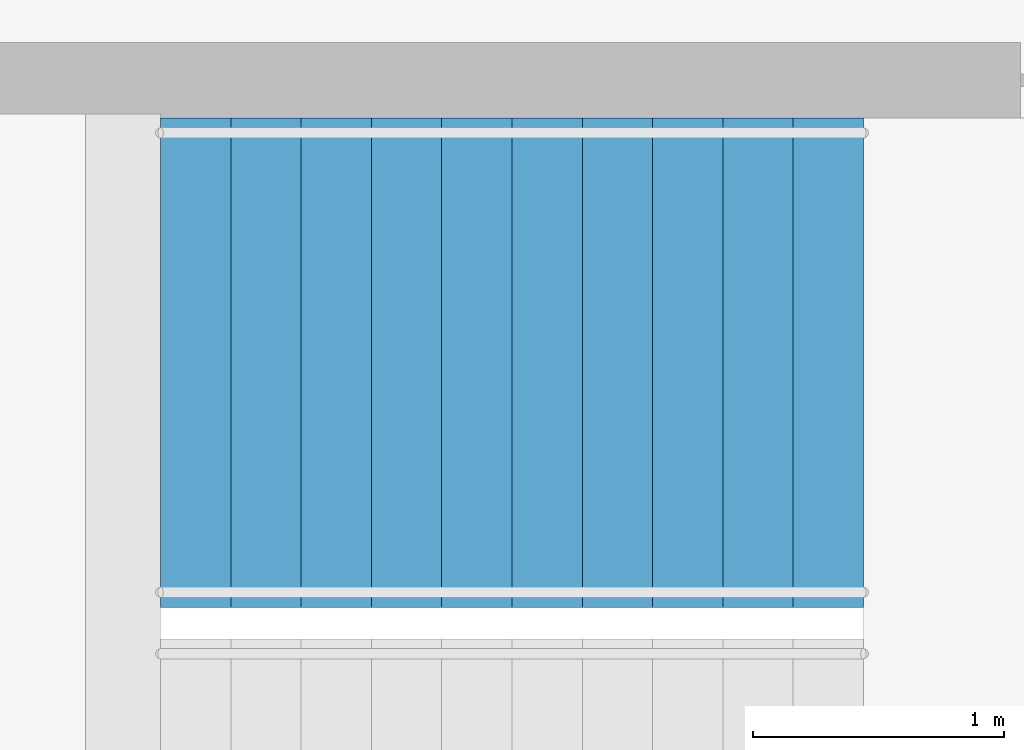
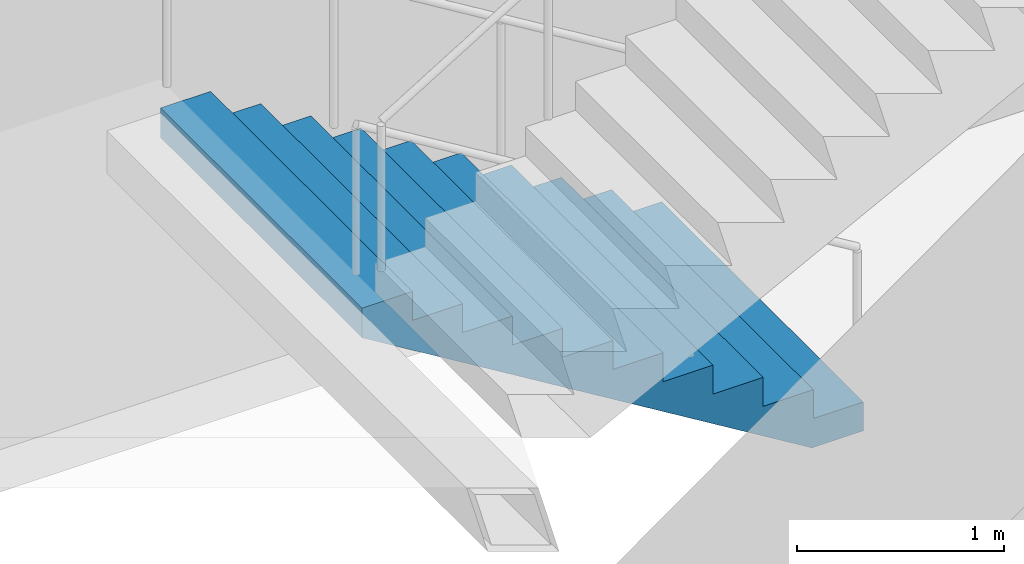
# One storey, part 21 of 22: 1 stair flight, 1 element without a shape of its own.
"""IFC4 building model written with IfcOpenShell, lengths in metres."""

import ifcopenshell
import ifcopenshell.guid

model = None  # the IFC model being written
_history = None  # IfcOwnerHistory: only IFC2X3 demands one
_inside = {}  # id of a spatial element -> (the spatial element, [elements in it])
_under = {}  # id of a project, library or spatial element -> (it, [spatial elements below it])
_declared = {}  # id of a project -> (the project, [libraries it declares])
_typed = {}  # id of a type object -> (the type object, [elements of that type])
_made_of = {}  # id of a material, layer set ... -> (it, [elements and type objects made of it])


def new_model(schema):
    """Start an empty IFC model of exactly this schema.

    Asked for "IFC4X3", IfcOpenShell would pick the latest addendum, in which some entities
    have other attributes; the version numbers below select the first issue.
    IFC2X3 requires an IfcOwnerHistory on every rooted entity: one is made here for all.
    """
    global model, _history
    if schema == "IFC4X3":
        model = ifcopenshell.file(schema_version=(4, 3, 0, 0))
    else:
        model = ifcopenshell.file(schema=schema)
    _inside.clear()
    _under.clear()
    _declared.clear()
    _typed.clear()
    _made_of.clear()
    _history = None
    if model.schema == "IFC2X3":
        org = make("IfcOrganization", Name="unknown")
        user = make(
            "IfcPersonAndOrganization",
            ThePerson=make("IfcPerson", FamilyName="unknown"),
            TheOrganization=org,
        )
        app = make(
            "IfcApplication",
            ApplicationDeveloper=org,
            Version="unknown",
            ApplicationFullName="unknown",
            ApplicationIdentifier="unknown",
        )
        _history = make(
            "IfcOwnerHistory",
            OwningUser=user,
            OwningApplication=app,
            ChangeAction="ADDED",
            CreationDate=0,
        )
    return model


def make(cls, **values):
    """One entity of the class cls with the attributes given. An attribute that is None is left unset."""
    return model.create_entity(
        cls, **{name: value for name, value in values.items() if value is not None}
    )


def rooted(cls, **values):
    """An entity with a GlobalId (a new one), such as an element, a storey or a relation."""
    return make(cls, GlobalId=ifcopenshell.guid.new(), OwnerHistory=_history, **values)


def si_unit(unit_type, name, prefix=None):
    """IfcSIUnit, for example si_unit("LENGTHUNIT", "METRE", prefix="MILLI")."""
    return make("IfcSIUnit", UnitType=unit_type, Prefix=prefix, Name=name)


def assignment(units):
    """IfcUnitAssignment: the units of a project."""
    return None if units is None else make("IfcUnitAssignment", Units=units)


def point(xyz):
    """IfcCartesianPoint."""
    return None if xyz is None else make("IfcCartesianPoint", Coordinates=xyz)


def direction(xyz):
    """IfcDirection."""
    return None if xyz is None else make("IfcDirection", DirectionRatios=xyz)


def frame(location, z_axis=None, x_axis=None):
    """IfcAxis2Placement3D, a coordinate frame: its origin and axes. An axis left out is left unset."""
    return make(
        "IfcAxis2Placement3D",
        Location=point(location),
        Axis=direction(z_axis),
        RefDirection=direction(x_axis),
    )


def origin():
    """The frame at (0, 0, 0) with its axes left unset."""
    return frame((0.0, 0.0, 0.0))


def place(relative_to, where):
    """IfcLocalPlacement: puts the frame where relative to a parent placement (None: the world)."""
    return make(
        "IfcLocalPlacement", PlacementRelTo=relative_to, RelativePlacement=where
    )


def context(
    kind, dimensions, precision=None, world=None, true_north=None, identifier=None
):
    """IfcGeometricRepresentationContext, for example the 3D "Model" context."""
    return make(
        "IfcGeometricRepresentationContext",
        ContextIdentifier=identifier,
        ContextType=kind,
        CoordinateSpaceDimension=dimensions,
        Precision=precision,
        WorldCoordinateSystem=world,
        TrueNorth=true_north,
    )


def subcontext(parent, identifier, kind, view, scale=None):
    """IfcGeometricRepresentationSubContext, for example "Body" below "Model"."""
    return make(
        "IfcGeometricRepresentationSubContext",
        ContextIdentifier=identifier,
        ContextType=kind,
        ParentContext=parent,
        TargetScale=scale,
        TargetView=view,
    )


def project(units=None, contexts=None):
    """IfcProject with its units and contexts."""
    return rooted(
        "IfcProject",
        Name="project",
        RepresentationContexts=contexts,
        UnitsInContext=assignment(units),
    )


def spatial(cls, under=None, at=None, **own):
    """A site, building, storey or space (cls), placed at a placement, below another one or the project."""
    s = rooted(cls, ObjectPlacement=at, **own)
    if under is not None:
        _under.setdefault(under.id(), (under, []))[1].append(s)
    return s


def point_list(points):
    """IfcCartesianPointList2D or 3D."""
    cls = (
        "IfcCartesianPointList2D" if len(points[0]) == 2 else "IfcCartesianPointList3D"
    )
    return make(cls, CoordList=points)


def triangles(points, corners, closed=None, point_numbers=None):
    """IfcTriangulatedFaceSet: each triangle names its three corners, points numbered from 1."""
    return make(
        "IfcTriangulatedFaceSet",
        Coordinates=point_list(points),
        Closed=closed,
        CoordIndex=corners,
        PnIndex=point_numbers,
    )


def shape(context_of_items, identifier, shape_type, items):
    """IfcShapeRepresentation: the items that make up one representation, for example the "Body"."""
    return make(
        "IfcShapeRepresentation",
        ContextOfItems=context_of_items,
        RepresentationIdentifier=identifier,
        RepresentationType=shape_type,
        Items=items,
    )


def material(Name=None, Category=None):
    """IfcMaterial."""
    return make("IfcMaterial", Name=Name, Category=Category)


def made_of(thing, what):
    """Note that an element or type object is made of a material, layer set ...; save() writes the relation."""
    if what is not None:
        _made_of.setdefault(what.id(), (what, []))[1].append(thing)
    return thing


def type_object(cls, material=None, **own):
    """A type object (cls), such as IfcWallType, which elements share."""
    return made_of(rooted(cls, **own), material)


def element(
    cls,
    number,
    at=None,
    inside=None,
    cuts=None,
    type_object=None,
    material=None,
    context=None,
    identifier="Body",
    shape_type=None,
    held_by="IfcProductDefinitionShape",
    body=None,
    shapes=None,
    **own,
):
    """One element of the class cls, such as IfcWall. Its Tag is "e" and its number.

    at: its placement. inside: the storey or other place that contains it. cuts: it is an
    opening in that element (IfcRelVoidsElement). A single representation is given by context,
    identifier, shape_type and body (its items); several are given by shapes. held_by: the class
    of the entity that holds the representations. save() writes the other relations.
    """
    e = rooted(cls, Tag="e%d" % number, ObjectPlacement=at, **own)
    if body is not None:
        shapes = [shape(context, identifier, shape_type, body)]
    if shapes is not None:
        e.Representation = make(held_by, Representations=shapes)
    if inside is not None:
        _inside.setdefault(inside.id(), (inside, []))[1].append(e)
    if cuts is not None:
        rooted(
            "IfcRelVoidsElement", RelatingBuildingElement=cuts, RelatedOpeningElement=e
        )
    if type_object is not None:
        _typed.setdefault(type_object.id(), (type_object, []))[1].append(e)
    return made_of(e, material)


def aggregate(whole, parts):
    """IfcRelAggregates: a whole, such as a stair, and the parts it consists of."""
    return rooted("IfcRelAggregates", RelatingObject=whole, RelatedObjects=parts)


def save(model, path):
    """Write the relations noted so far, then the file.

    IfcRelAggregates (storeys below a building ...), IfcRelContainedInSpatialStructure (elements
    in a storey), IfcRelDefinesByType, IfcRelAssociatesMaterial and IfcRelDeclares: one each for
    every whole, place, type object, material and project.
    """
    for whole, parts in _under.values():
        aggregate(whole, parts)
    for where, things in _inside.values():
        rooted(
            "IfcRelContainedInSpatialStructure",
            RelatedElements=things,
            RelatingStructure=where,
        )
    for kind, things in _typed.values():
        rooted("IfcRelDefinesByType", RelatedObjects=things, RelatingType=kind)
    for what, things in _made_of.values():
        rooted("IfcRelAssociatesMaterial", RelatedObjects=things, RelatingMaterial=what)
    for by, libraries in _declared.values():
        rooted("IfcRelDeclares", RelatingContext=by, RelatedDefinitions=libraries)
    model.write(path)


model = new_model("IFC4")

# Units and contexts
model_context = context("Model", 3, precision=1e-05, world=origin(), true_north=direction((0.0, 1.0)))
body_context = subcontext(model_context, "Body", "Model", "MODEL_VIEW")
ifc_project = project(units=[si_unit("LENGTHUNIT", "METRE"), si_unit("AREAUNIT", "SQUARE_METRE"), si_unit("VOLUMEUNIT", "CUBIC_METRE"), si_unit("PLANEANGLEUNIT", "RADIAN"), si_unit("MASSUNIT", "GRAM", prefix="KILO")], contexts=[model_context])

# Site, building, storey
site_placement = place(None, origin())
site = spatial("IfcSite", under=ifc_project, at=site_placement, CompositionType="ELEMENT")
building_placement = place(site_placement, origin())
building = spatial("IfcBuilding", under=site, at=building_placement, Name="Orbita Commons", CompositionType="ELEMENT")
storey_placement = place(building_placement, frame((0.0, 0.0, 144.85009765625)))
storey = spatial("IfcBuildingStorey", under=building, at=storey_placement, Name="L35", CompositionType="ELEMENT", Elevation=144.85009765625)

# Stair, stair flight
ifc_material_1 = material(Name="Precast concrete C40/50", Category="concrete")
stair_type = type_object("IfcStairType", Name="Exit stair S2 2 flights 11 risers 170", PredefinedType="HALF_TURN_STAIR", material=ifc_material_1)
stair_placement = place(storey_placement, origin())
stair = element("IfcStair", 1, at=stair_placement, inside=storey, type_object=stair_type, Name="Exit stair S2 L35", PredefinedType="HALF_TURN_STAIR")
ifc_material_2 = material(Name="Precast concrete C40/50", Category="concrete")
stair_flight_type = type_object("IfcStairFlightType", Name="Stair flight 11 risers 170 x 280", PredefinedType="STRAIGHT", material=ifc_material_2)
stair_flight_placement = place(storey_placement, frame((63.550048828125, 29.27490234375, 0.0), z_axis=(0.0, 0.0, 1.0), x_axis=(-1.0, 0.0, 0.0)))
stair_flight = element("IfcStairFlight", 2, at=stair_flight_placement, type_object=stair_flight_type, Name="S2 flight 1", NumberOfRisers=11, NumberOfTreads=10, PredefinedType="STRAIGHT", RiserHeight=0.170454545, TreadLength=0.28, context=body_context, shape_type="Tessellation", body=[
    triangles([(0.0, 0.974976, 0.0), (0.0, 0.974976, 0.021307), (0.0, 0.81248, 0.021307), (0.0, 0.81248, 0.0), (0.0, 0.649984, 0.021307), (0.0, 0.649984, 0.0), (0.0, 0.487488, 0.021307), (0.0, 0.487488, 0.0), (0.0, 0.324992, 0.021307), (0.0, 0.324992, 0.0), (0.0, 0.162496, 0.021307), (0.0, 0.162496, 0.0), (0.0, 0.0, 0.021307), (0.0, 0.0, 0.0), (0.0, -0.162496, 0.021307), (0.0, -0.162496, 0.0), (0.0, -0.324992, 0.021307), (0.0, -0.324992, 0.0), (0.0, -0.487488, 0.021307), (0.0, -0.487488, 0.0), (0.0, -0.649984, 0.021307), (0.0, -0.649984, 0.0), (0.0, -0.81248, 0.021307), (0.0, -0.81248, 0.0), (0.0, -0.974976, 0.021307), (0.0, -0.974976, 0.0), (0.0, 0.974976, 0.042614), (0.0, 0.81248, 0.042614), (0.0, 0.649984, 0.042614), (0.0, 0.487488, 0.042614), (0.0, 0.324992, 0.042614), (0.0, 0.162496, 0.042614), (0.0, 0.0, 0.042614), (0.0, -0.162496, 0.042614), (0.0, -0.324992, 0.042614), (0.0, -0.487488, 0.042614), (0.0, -0.649984, 0.042614), (0.0, -0.81248, 0.042614), (0.0, -0.974976, 0.042614), (0.0, 0.974976, 0.06392), (0.0, 0.81248, 0.06392), (0.0, 0.649984, 0.06392), (0.0, 0.487488, 0.06392), (0.0, 0.324992, 0.06392), (0.0, 0.162496, 0.06392), (0.0, 0.0, 0.06392), (0.0, -0.162496, 0.06392), (0.0, -0.324992, 0.06392), (0.0, -0.487488, 0.06392), (0.0, -0.649984, 0.06392), (0.0, -0.81248, 0.06392), (0.0, -0.974976, 0.06392), (0.0, 0.974976, 0.085227), (0.0, 0.81248, 0.085227), (0.0, 0.649984, 0.085227), (0.0, 0.487488, 0.085227), (0.0, 0.324992, 0.085227), (0.0, 0.162496, 0.085227), (0.0, 0.0, 0.085227), (0.0, -0.162496, 0.085227), (0.0, -0.324992, 0.085227), (0.0, -0.487488, 0.085227), (0.0, -0.649984, 0.085227), (0.0, -0.81248, 0.085227), (0.0, -0.974976, 0.085227), (0.0, 0.974976, 0.106534), (0.0, 0.81248, 0.106534), (0.0, 0.649984, 0.106534), (0.0, 0.487488, 0.106534), (0.0, 0.324992, 0.106534), (0.0, 0.162496, 0.106534), (0.0, 0.0, 0.106534), (0.0, -0.162496, 0.106534), (0.0, -0.324992, 0.106534), (0.0, -0.487488, 0.106534), (0.0, -0.649984, 0.106534), (0.0, -0.81248, 0.106534), (0.0, -0.974976, 0.106534), (0.0, 0.974976, 0.127841), (0.0, 0.81248, 0.127841), (0.0, 0.649984, 0.127841), (0.0, 0.487488, 0.127841), (0.0, 0.324992, 0.127841), (0.0, 0.162496, 0.127841), (0.0, 0.0, 0.127841), (0.0, -0.162496, 0.127841), (0.0, -0.324992, 0.127841), (0.0, -0.487488, 0.127841), (0.0, -0.649984, 0.127841), (0.0, -0.81248, 0.127841), (0.0, -0.974976, 0.127841), (0.0, 0.974976, 0.149148), (0.0, 0.81248, 0.149148), (0.0, 0.649984, 0.149148), (0.0, 0.487488, 0.149148), (0.0, 0.324992, 0.149148), (0.0, 0.162496, 0.149148), (0.0, 0.0, 0.149148), (0.0, -0.162496, 0.149148), (0.0, -0.324992, 0.149148), (0.0, -0.487488, 0.149148), (0.0, -0.649984, 0.149148), (0.0, -0.81248, 0.149148), (0.0, -0.974976, 0.149148), (0.0, 0.974976, 0.170455), (0.0, 0.81248, 0.170455), (0.0, 0.649984, 0.170455), (0.0, 0.487488, 0.170455), (0.0, 0.324992, 0.170455), (0.0, 0.162496, 0.170455), (0.0, 0.0, 0.170455), (0.0, -0.162496, 0.170455), (0.0, -0.324992, 0.170455), (0.0, -0.487488, 0.170455), (0.0, -0.649984, 0.170455), (0.0, -0.81248, 0.170455), (0.0, -0.974976, 0.170455), (0.28, 0.974976, 0.170455), (0.28, 0.81248, 0.170455), (0.28, 0.649984, 0.170455), (0.28, 0.487488, 0.170455), (0.28, 0.324992, 0.170455), (0.28, 0.162496, 0.170455), (0.28, 0.0, 0.170455), (0.28, -0.162496, 0.170455), (0.28, -0.324992, 0.170455), (0.28, -0.487488, 0.170455), (0.28, -0.649984, 0.170455), (0.28, -0.81248, 0.170455), (0.28, -0.974976, 0.170455), (0.28, 0.974976, 0.340909), (0.28, 0.81248, 0.340909), (0.28, 0.649984, 0.340909), (0.28, 0.487488, 0.340909), (0.28, 0.324992, 0.340909), (0.28, 0.162496, 0.340909), (0.28, 0.0, 0.340909), (0.28, -0.162496, 0.340909), (0.28, -0.324992, 0.340909), (0.28, -0.487488, 0.340909), (0.28, -0.649984, 0.340909), (0.28, -0.81248, 0.340909), (0.28, -0.974976, 0.340909), (0.56, 0.974976, 0.340909), (0.56, 0.81248, 0.340909), (0.56, 0.649984, 0.340909), (0.56, 0.487488, 0.340909), (0.56, 0.324992, 0.340909), (0.56, 0.162496, 0.340909), (0.56, 0.0, 0.340909), (0.56, -0.162496, 0.340909), (0.56, -0.324992, 0.340909), (0.56, -0.487488, 0.340909), (0.56, -0.649984, 0.340909), (0.56, -0.81248, 0.340909), (0.56, -0.974976, 0.340909), (0.56, 0.974976, 0.511364), (0.56, 0.81248, 0.511364), (0.56, 0.649984, 0.511364), (0.56, 0.487488, 0.511364), (0.56, 0.324992, 0.511364), (0.56, 0.162496, 0.511364), (0.56, 0.0, 0.511364), (0.56, -0.162496, 0.511364), (0.56, -0.324992, 0.511364), (0.56, -0.487488, 0.511364), (0.56, -0.649984, 0.511364), (0.56, -0.81248, 0.511364), (0.56, -0.974976, 0.511364), (0.84, 0.974976, 0.511364), (0.84, 0.81248, 0.511364), (0.84, 0.649984, 0.511364), (0.84, 0.487488, 0.511364), (0.84, 0.324992, 0.511364), (0.84, 0.162496, 0.511364), (0.84, 0.0, 0.511364), (0.84, -0.162496, 0.511364), (0.84, -0.324992, 0.511364), (0.84, -0.487488, 0.511364), (0.84, -0.649984, 0.511364), (0.84, -0.81248, 0.511364), (0.84, -0.974976, 0.511364), (0.84, 0.974976, 0.681818), (0.84, 0.81248, 0.681818), (0.84, 0.649984, 0.681818), (0.84, 0.487488, 0.681818), (0.84, 0.324992, 0.681818), (0.84, 0.162496, 0.681818), (0.84, 0.0, 0.681818), (0.84, -0.162496, 0.681818), (0.84, -0.324992, 0.681818), (0.84, -0.487488, 0.681818), (0.84, -0.649984, 0.681818), (0.84, -0.81248, 0.681818), (0.84, -0.974976, 0.681818), (1.12, 0.974976, 0.681818), (1.12, 0.81248, 0.681818), (1.12, 0.649984, 0.681818), (1.12, 0.487488, 0.681818), (1.12, 0.324992, 0.681818), (1.12, 0.162496, 0.681818), (1.12, 0.0, 0.681818), (1.12, -0.162496, 0.681818), (1.12, -0.324992, 0.681818), (1.12, -0.487488, 0.681818), (1.12, -0.649984, 0.681818), (1.12, -0.81248, 0.681818), (1.12, -0.974976, 0.681818), (1.12, 0.974976, 0.852273), (1.12, 0.81248, 0.852273), (1.12, 0.649984, 0.852273), (1.12, 0.487488, 0.852273), (1.12, 0.324992, 0.852273), (1.12, 0.162496, 0.852273), (1.12, 0.0, 0.852273), (1.12, -0.162496, 0.852273), (1.12, -0.324992, 0.852273), (1.12, -0.487488, 0.852273), (1.12, -0.649984, 0.852273), (1.12, -0.81248, 0.852273), (1.12, -0.974976, 0.852273), (1.4, 0.974976, 0.852273), (1.4, 0.81248, 0.852273), (1.4, 0.649984, 0.852273), (1.4, 0.487488, 0.852273), (1.4, 0.324992, 0.852273), (1.4, 0.162496, 0.852273), (1.4, 0.0, 0.852273), (1.4, -0.162496, 0.852273), (1.4, -0.324992, 0.852273), (1.4, -0.487488, 0.852273), (1.4, -0.649984, 0.852273), (1.4, -0.81248, 0.852273), (1.4, -0.974976, 0.852273), (1.4, 0.974976, 1.022727), (1.4, 0.81248, 1.022727), (1.4, 0.649984, 1.022727), (1.4, 0.487488, 1.022727), (1.4, 0.324992, 1.022727), (1.4, 0.162496, 1.022727), (1.4, 0.0, 1.022727), (1.4, -0.162496, 1.022727), (1.4, -0.324992, 1.022727), (1.4, -0.487488, 1.022727), (1.4, -0.649984, 1.022727), (1.4, -0.81248, 1.022727), (1.4, -0.974976, 1.022727), (1.68, 0.974976, 1.022727), (1.68, 0.81248, 1.022727), (1.68, 0.649984, 1.022727), (1.68, 0.487488, 1.022727), (1.68, 0.324992, 1.022727), (1.68, 0.162496, 1.022727), (1.68, 0.0, 1.022727), (1.68, -0.162496, 1.022727), (1.68, -0.324992, 1.022727), (1.68, -0.487488, 1.022727), (1.68, -0.649984, 1.022727), (1.68, -0.81248, 1.022727), (1.68, -0.974976, 1.022727), (1.68, 0.974976, 1.193182), (1.68, 0.81248, 1.193182), (1.68, 0.649984, 1.193182), (1.68, 0.487488, 1.193182), (1.68, 0.324992, 1.193182), (1.68, 0.162496, 1.193182), (1.68, 0.0, 1.193182), (1.68, -0.162496, 1.193182), (1.68, -0.324992, 1.193182), (1.68, -0.487488, 1.193182), (1.68, -0.649984, 1.193182), (1.68, -0.81248, 1.193182), (1.68, -0.974976, 1.193182), (1.96, 0.974976, 1.193182), (1.96, 0.81248, 1.193182), (1.96, 0.649984, 1.193182), (1.96, 0.487488, 1.193182), (1.96, 0.324992, 1.193182), (1.96, 0.162496, 1.193182), (1.96, 0.0, 1.193182), (1.96, -0.162496, 1.193182), (1.96, -0.324992, 1.193182), (1.96, -0.487488, 1.193182), (1.96, -0.649984, 1.193182), (1.96, -0.81248, 1.193182), (1.96, -0.974976, 1.193182), (1.96, 0.974976, 1.363636), (1.96, 0.81248, 1.363636), (1.96, 0.649984, 1.363636), (1.96, 0.487488, 1.363636), (1.96, 0.324992, 1.363636), (1.96, 0.162496, 1.363636), (1.96, 0.0, 1.363636), (1.96, -0.162496, 1.363636), (1.96, -0.324992, 1.363636), (1.96, -0.487488, 1.363636), (1.96, -0.649984, 1.363636), (1.96, -0.81248, 1.363636), (1.96, -0.974976, 1.363636), (2.24, 0.974976, 1.363636), (2.24, 0.81248, 1.363636), (2.24, 0.649984, 1.363636), (2.24, 0.487488, 1.363636), (2.24, 0.324992, 1.363636), (2.24, 0.162496, 1.363636), (2.24, 0.0, 1.363636), (2.24, -0.162496, 1.363636), (2.24, -0.324992, 1.363636), (2.24, -0.487488, 1.363636), (2.24, -0.649984, 1.363636), (2.24, -0.81248, 1.363636), (2.24, -0.974976, 1.363636), (2.24, 0.974976, 1.534091), (2.24, 0.81248, 1.534091), (2.24, 0.649984, 1.534091), (2.24, 0.487488, 1.534091), (2.24, 0.324992, 1.534091), (2.24, 0.162496, 1.534091), (2.24, 0.0, 1.534091), (2.24, -0.162496, 1.534091), (2.24, -0.324992, 1.534091), (2.24, -0.487488, 1.534091), (2.24, -0.649984, 1.534091), (2.24, -0.81248, 1.534091), (2.24, -0.974976, 1.534091), (2.52, 0.974976, 1.534091), (2.52, 0.81248, 1.534091), (2.52, 0.649984, 1.534091), (2.52, 0.487488, 1.534091), (2.52, 0.324992, 1.534091), (2.52, 0.162496, 1.534091), (2.52, 0.0, 1.534091), (2.52, -0.162496, 1.534091), (2.52, -0.324992, 1.534091), (2.52, -0.487488, 1.534091), (2.52, -0.649984, 1.534091), (2.52, -0.81248, 1.534091), (2.52, -0.974976, 1.534091), (2.52, 0.974976, 1.704545), (2.52, 0.81248, 1.704545), (2.52, 0.649984, 1.704545), (2.52, 0.487488, 1.704545), (2.52, 0.324992, 1.704545), (2.52, 0.162496, 1.704545), (2.52, 0.0, 1.704545), (2.52, -0.162496, 1.704545), (2.52, -0.324992, 1.704545), (2.52, -0.487488, 1.704545), (2.52, -0.649984, 1.704545), (2.52, -0.81248, 1.704545), (2.52, -0.974976, 1.704545), (2.8, 0.974976, 1.704545), (2.8, 0.81248, 1.704545), (2.8, 0.649984, 1.704545), (2.8, 0.487488, 1.704545), (2.8, 0.324992, 1.704545), (2.8, 0.162496, 1.704545), (2.8, 0.0, 1.704545), (2.8, -0.162496, 1.704545), (2.8, -0.324992, 1.704545), (2.8, -0.487488, 1.704545), (2.8, -0.649984, 1.704545), (2.8, -0.81248, 1.704545), (2.8, -0.974976, 1.704545), (2.8, 0.974976, 1.682609), (2.8, 0.81248, 1.682609), (2.8, 0.649984, 1.682609), (2.8, 0.487488, 1.682609), (2.8, 0.324992, 1.682609), (2.8, 0.162496, 1.682609), (2.8, 0.0, 1.682609), (2.8, -0.162496, 1.682609), (2.8, -0.324992, 1.682609), (2.8, -0.487488, 1.682609), (2.8, -0.649984, 1.682609), (2.8, -0.81248, 1.682609), (2.8, -0.974976, 1.682609), (2.8, 0.974976, 1.660672), (2.8, 0.81248, 1.660672), (2.8, 0.649984, 1.660672), (2.8, 0.487488, 1.660672), (2.8, 0.324992, 1.660672), (2.8, 0.162496, 1.660672), (2.8, 0.0, 1.660672), (2.8, -0.162496, 1.660672), (2.8, -0.324992, 1.660672), (2.8, -0.487488, 1.660672), (2.8, -0.649984, 1.660672), (2.8, -0.81248, 1.660672), (2.8, -0.974976, 1.660672), (2.8, 0.974976, 1.638735), (2.8, 0.81248, 1.638735), (2.8, 0.649984, 1.638735), (2.8, 0.487488, 1.638735), (2.8, 0.324992, 1.638735), (2.8, 0.162496, 1.638735), (2.8, 0.0, 1.638735), (2.8, -0.162496, 1.638735), (2.8, -0.324992, 1.638735), (2.8, -0.487488, 1.638735), (2.8, -0.649984, 1.638735), (2.8, -0.81248, 1.638735), (2.8, -0.974976, 1.638735), (2.8, 0.974976, 1.616798), (2.8, 0.81248, 1.616798), (2.8, 0.649984, 1.616798), (2.8, 0.487488, 1.616798), (2.8, 0.324992, 1.616798), (2.8, 0.162496, 1.616798), (2.8, 0.0, 1.616798), (2.8, -0.162496, 1.616798), (2.8, -0.324992, 1.616798), (2.8, -0.487488, 1.616798), (2.8, -0.649984, 1.616798), (2.8, -0.81248, 1.616798), (2.8, -0.974976, 1.616798), (2.8, 0.974976, 1.594861), (2.8, 0.81248, 1.594861), (2.8, 0.649984, 1.594861), (2.8, 0.487488, 1.594861), (2.8, 0.324992, 1.594861), (2.8, 0.162496, 1.594861), (2.8, 0.0, 1.594861), (2.8, -0.162496, 1.594861), (2.8, -0.324992, 1.594861), (2.8, -0.487488, 1.594861), (2.8, -0.649984, 1.594861), (2.8, -0.81248, 1.594861), (2.8, -0.974976, 1.594861), (2.8, 0.974976, 1.572925), (2.8, 0.81248, 1.572925), (2.8, 0.649984, 1.572925), (2.8, 0.487488, 1.572925), (2.8, 0.324992, 1.572925), (2.8, 0.162496, 1.572925), (2.8, 0.0, 1.572925), (2.8, -0.162496, 1.572925), (2.8, -0.324992, 1.572925), (2.8, -0.487488, 1.572925), (2.8, -0.649984, 1.572925), (2.8, -0.81248, 1.572925), (2.8, -0.974976, 1.572925), (2.8, 0.974976, 1.550988), (2.8, 0.81248, 1.550988), (2.8, 0.649984, 1.550988), (2.8, 0.487488, 1.550988), (2.8, 0.324992, 1.550988), (2.8, 0.162496, 1.550988), (2.8, 0.0, 1.550988), (2.8, -0.162496, 1.550988), (2.8, -0.324992, 1.550988), (2.8, -0.487488, 1.550988), (2.8, -0.649984, 1.550988), (2.8, -0.81248, 1.550988), (2.8, -0.974976, 1.550988), (2.8, 0.974976, 1.529051), (2.8, 0.81248, 1.529051), (2.8, 0.649984, 1.529051), (2.8, 0.487488, 1.529051), (2.8, 0.324992, 1.529051), (2.8, 0.162496, 1.529051), (2.8, 0.0, 1.529051), (2.8, -0.162496, 1.529051), (2.8, -0.324992, 1.529051), (2.8, -0.487488, 1.529051), (2.8, -0.649984, 1.529051), (2.8, -0.81248, 1.529051), (2.8, -0.974976, 1.529051), (0.288279, 0.974976, 0.0), (0.288279, 0.81248, 0.0), (0.288279, 0.649984, 0.0), (0.288279, 0.487488, 0.0), (0.288279, 0.324992, 0.0), (0.288279, 0.162496, 0.0), (0.288279, 0.0, 0.0), (0.288279, -0.162496, 0.0), (0.288279, -0.324992, 0.0), (0.288279, -0.487488, 0.0), (0.288279, -0.649984, 0.0), (0.288279, -0.81248, 0.0), (0.288279, -0.974976, 0.0)], [[3, 2, 1], [4, 3, 1], [5, 3, 4], [6, 5, 4], [7, 5, 6], [8, 7, 6], [9, 7, 8], [10, 9, 8], [11, 9, 10], [12, 11, 10], [13, 11, 12], [14, 13, 12], [15, 13, 14], [16, 15, 14], [17, 15, 16], [18, 17, 16], [19, 17, 18], [20, 19, 18], [21, 19, 20], [22, 21, 20], [23, 21, 22], [24, 23, 22], [25, 23, 24], [26, 25, 24], [28, 27, 2], [3, 28, 2], [29, 28, 3], [5, 29, 3], [30, 29, 5], [7, 30, 5], [31, 30, 7], [9, 31, 7], [32, 31, 9], [11, 32, 9], [33, 32, 11], [13, 33, 11], [34, 33, 13], [15, 34, 13], [35, 34, 15], [17, 35, 15], [36, 35, 17], [19, 36, 17], [37, 36, 19], [21, 37, 19], [38, 37, 21], [23, 38, 21], [39, 38, 23], [25, 39, 23], [41, 40, 27], [28, 41, 27], [42, 41, 28], [29, 42, 28], [43, 42, 29], [30, 43, 29], [44, 43, 30], [31, 44, 30], [45, 44, 31], [32, 45, 31], [46, 45, 32], [33, 46, 32], [47, 46, 33], [34, 47, 33], [48, 47, 34], [35, 48, 34], [49, 48, 35], [36, 49, 35], [50, 49, 36], [37, 50, 36], [51, 50, 37], [38, 51, 37], [52, 51, 38], [39, 52, 38], [54, 53, 40], [41, 54, 40], [55, 54, 41], [42, 55, 41], [56, 55, 42], [43, 56, 42], [57, 56, 43], [44, 57, 43], [58, 57, 44], [45, 58, 44], [59, 58, 45], [46, 59, 45], [60, 59, 46], [47, 60, 46], [61, 60, 47], [48, 61, 47], [62, 61, 48], [49, 62, 48], [63, 62, 49], [50, 63, 49], [64, 63, 50], [51, 64, 50], [65, 64, 51], [52, 65, 51], [67, 66, 53], [54, 67, 53], [68, 67, 54], [55, 68, 54], [69, 68, 55], [56, 69, 55], [70, 69, 56], [57, 70, 56], [71, 70, 57], [58, 71, 57], [72, 71, 58], [59, 72, 58], [73, 72, 59], [60, 73, 59], [74, 73, 60], [61, 74, 60], [75, 74, 61], [62, 75, 61], [76, 75, 62], [63, 76, 62], [77, 76, 63], [64, 77, 63], [78, 77, 64], [65, 78, 64], [80, 79, 66], [67, 80, 66], [81, 80, 67], [68, 81, 67], [82, 81, 68], [69, 82, 68], [83, 82, 69], [70, 83, 69], [84, 83, 70], [71, 84, 70], [85, 84, 71], [72, 85, 71], [86, 85, 72], [73, 86, 72], [87, 86, 73], [74, 87, 73], [88, 87, 74], [75, 88, 74], [89, 88, 75], [76, 89, 75], [90, 89, 76], [77, 90, 76], [91, 90, 77], [78, 91, 77], [93, 92, 79], [80, 93, 79], [94, 93, 80], [81, 94, 80], [95, 94, 81], [82, 95, 81], [96, 95, 82], [83, 96, 82], [97, 96, 83], [84, 97, 83], [98, 97, 84], [85, 98, 84], [99, 98, 85], [86, 99, 85], [100, 99, 86], [87, 100, 86], [101, 100, 87], [88, 101, 87], [102, 101, 88], [89, 102, 88], [103, 102, 89], [90, 103, 89], [104, 103, 90], [91, 104, 90], [106, 105, 92], [93, 106, 92], [107, 106, 93], [94, 107, 93], [108, 107, 94], [95, 108, 94], [109, 108, 95], [96, 109, 95], [110, 109, 96], [97, 110, 96], [111, 110, 97], [98, 111, 97], [112, 111, 98], [99, 112, 98], [113, 112, 99], [100, 113, 99], [114, 113, 100], [101, 114, 100], [115, 114, 101], [102, 115, 101], [116, 115, 102], [103, 116, 102], [117, 116, 103], [104, 117, 103], [119, 118, 105], [106, 119, 105], [120, 119, 106], [107, 120, 106], [121, 120, 107], [108, 121, 107], [122, 121, 108], [109, 122, 108], [123, 122, 109], [110, 123, 109], [124, 123, 110], [111, 124, 110], [125, 124, 111], [112, 125, 111], [126, 125, 112], [113, 126, 112], [127, 126, 113], [114, 127, 113], [128, 127, 114], [115, 128, 114], [129, 128, 115], [116, 129, 115], [130, 129, 116], [117, 130, 116], [132, 131, 118], [119, 132, 118], [133, 132, 119], [120, 133, 119], [134, 133, 120], [121, 134, 120], [135, 134, 121], [122, 135, 121], [136, 135, 122], [123, 136, 122], [137, 136, 123], [124, 137, 123], [138, 137, 124], [125, 138, 124], [139, 138, 125], [126, 139, 125], [140, 139, 126], [127, 140, 126], [141, 140, 127], [128, 141, 127], [142, 141, 128], [129, 142, 128], [143, 142, 129], [130, 143, 129], [145, 144, 131], [132, 145, 131], [146, 145, 132], [133, 146, 132], [147, 146, 133], [134, 147, 133], [148, 147, 134], [135, 148, 134], [149, 148, 135], [136, 149, 135], [150, 149, 136], [137, 150, 136], [151, 150, 137], [138, 151, 137], [152, 151, 138], [139, 152, 138], [153, 152, 139], [140, 153, 139], [154, 153, 140], [141, 154, 140], [155, 154, 141], [142, 155, 141], [156, 155, 142], [143, 156, 142], [158, 157, 144], [145, 158, 144], [159, 158, 145], [146, 159, 145], [160, 159, 146], [147, 160, 146], [161, 160, 147], [148, 161, 147], [162, 161, 148], [149, 162, 148], [163, 162, 149], [150, 163, 149], [164, 163, 150], [151, 164, 150], [165, 164, 151], [152, 165, 151], [166, 165, 152], [153, 166, 152], [167, 166, 153], [154, 167, 153], [168, 167, 154], [155, 168, 154], [169, 168, 155], [156, 169, 155], [171, 170, 157], [158, 171, 157], [172, 171, 158], [159, 172, 158], [173, 172, 159], [160, 173, 159], [174, 173, 160], [161, 174, 160], [175, 174, 161], [162, 175, 161], [176, 175, 162], [163, 176, 162], [177, 176, 163], [164, 177, 163], [178, 177, 164], [165, 178, 164], [179, 178, 165], [166, 179, 165], [180, 179, 166], [167, 180, 166], [181, 180, 167], [168, 181, 167], [182, 181, 168], [169, 182, 168], [184, 183, 170], [171, 184, 170], [185, 184, 171], [172, 185, 171], [186, 185, 172], [173, 186, 172], [187, 186, 173], [174, 187, 173], [188, 187, 174], [175, 188, 174], [189, 188, 175], [176, 189, 175], [190, 189, 176], [177, 190, 176], [191, 190, 177], [178, 191, 177], [192, 191, 178], [179, 192, 178], [193, 192, 179], [180, 193, 179], [194, 193, 180], [181, 194, 180], [195, 194, 181], [182, 195, 181], [197, 196, 183], [184, 197, 183], [198, 197, 184], [185, 198, 184], [199, 198, 185], [186, 199, 185], [200, 199, 186], [187, 200, 186], [201, 200, 187], [188, 201, 187], [202, 201, 188], [189, 202, 188], [203, 202, 189], [190, 203, 189], [204, 203, 190], [191, 204, 190], [205, 204, 191], [192, 205, 191], [206, 205, 192], [193, 206, 192], [207, 206, 193], [194, 207, 193], [208, 207, 194], [195, 208, 194], [210, 209, 196], [197, 210, 196], [211, 210, 197], [198, 211, 197], [212, 211, 198], [199, 212, 198], [213, 212, 199], [200, 213, 199], [214, 213, 200], [201, 214, 200], [215, 214, 201], [202, 215, 201], [216, 215, 202], [203, 216, 202], [217, 216, 203], [204, 217, 203], [218, 217, 204], [205, 218, 204], [219, 218, 205], [206, 219, 205], [220, 219, 206], [207, 220, 206], [221, 220, 207], [208, 221, 207], [223, 222, 209], [210, 223, 209], [224, 223, 210], [211, 224, 210], [225, 224, 211], [212, 225, 211], [226, 225, 212], [213, 226, 212], [227, 226, 213], [214, 227, 213], [228, 227, 214], [215, 228, 214], [229, 228, 215], [216, 229, 215], [230, 229, 216], [217, 230, 216], [231, 230, 217], [218, 231, 217], [232, 231, 218], [219, 232, 218], [233, 232, 219], [220, 233, 219], [234, 233, 220], [221, 234, 220], [236, 235, 222], [223, 236, 222], [237, 236, 223], [224, 237, 223], [238, 237, 224], [225, 238, 224], [239, 238, 225], [226, 239, 225], [240, 239, 226], [227, 240, 226], [241, 240, 227], [228, 241, 227], [242, 241, 228], [229, 242, 228], [243, 242, 229], [230, 243, 229], [244, 243, 230], [231, 244, 230], [245, 244, 231], [232, 245, 231], [246, 245, 232], [233, 246, 232], [247, 246, 233], [234, 247, 233], [249, 248, 235], [236, 249, 235], [250, 249, 236], [237, 250, 236], [251, 250, 237], [238, 251, 237], [252, 251, 238], [239, 252, 238], [253, 252, 239], [240, 253, 239], [254, 253, 240], [241, 254, 240], [255, 254, 241], [242, 255, 241], [256, 255, 242], [243, 256, 242], [257, 256, 243], [244, 257, 243], [258, 257, 244], [245, 258, 244], [259, 258, 245], [246, 259, 245], [260, 259, 246], [247, 260, 246], [262, 261, 248], [249, 262, 248], [263, 262, 249], [250, 263, 249], [264, 263, 250], [251, 264, 250], [265, 264, 251], [252, 265, 251], [266, 265, 252], [253, 266, 252], [267, 266, 253], [254, 267, 253], [268, 267, 254], [255, 268, 254], [269, 268, 255], [256, 269, 255], [270, 269, 256], [257, 270, 256], [271, 270, 257], [258, 271, 257], [272, 271, 258], [259, 272, 258], [273, 272, 259], [260, 273, 259], [275, 274, 261], [262, 275, 261], [276, 275, 262], [263, 276, 262], [277, 276, 263], [264, 277, 263], [278, 277, 264], [265, 278, 264], [279, 278, 265], [266, 279, 265], [280, 279, 266], [267, 280, 266], [281, 280, 267], [268, 281, 267], [282, 281, 268], [269, 282, 268], [283, 282, 269], [270, 283, 269], [284, 283, 270], [271, 284, 270], [285, 284, 271], [272, 285, 271], [286, 285, 272], [273, 286, 272], [288, 287, 274], [275, 288, 274], [289, 288, 275], [276, 289, 275], [290, 289, 276], [277, 290, 276], [291, 290, 277], [278, 291, 277], [292, 291, 278], [279, 292, 278], [293, 292, 279], [280, 293, 279], [294, 293, 280], [281, 294, 280], [295, 294, 281], [282, 295, 281], [296, 295, 282], [283, 296, 282], [297, 296, 283], [284, 297, 283], [298, 297, 284], [285, 298, 284], [299, 298, 285], [286, 299, 285], [301, 300, 287], [288, 301, 287], [302, 301, 288], [289, 302, 288], [303, 302, 289], [290, 303, 289], [304, 303, 290], [291, 304, 290], [305, 304, 291], [292, 305, 291], [306, 305, 292], [293, 306, 292], [307, 306, 293], [294, 307, 293], [308, 307, 294], [295, 308, 294], [309, 308, 295], [296, 309, 295], [310, 309, 296], [297, 310, 296], [311, 310, 297], [298, 311, 297], [312, 311, 298], [299, 312, 298], [314, 313, 300], [301, 314, 300], [315, 314, 301], [302, 315, 301], [316, 315, 302], [303, 316, 302], [317, 316, 303], [304, 317, 303], [318, 317, 304], [305, 318, 304], [319, 318, 305], [306, 319, 305], [320, 319, 306], [307, 320, 306], [321, 320, 307], [308, 321, 307], [322, 321, 308], [309, 322, 308], [323, 322, 309], [310, 323, 309], [324, 323, 310], [311, 324, 310], [325, 324, 311], [312, 325, 311], [327, 326, 313], [314, 327, 313], [328, 327, 314], [315, 328, 314], [329, 328, 315], [316, 329, 315], [330, 329, 316], [317, 330, 316], [331, 330, 317], [318, 331, 317], [332, 331, 318], [319, 332, 318], [333, 332, 319], [320, 333, 319], [334, 333, 320], [321, 334, 320], [335, 334, 321], [322, 335, 321], [336, 335, 322], [323, 336, 322], [337, 336, 323], [324, 337, 323], [338, 337, 324], [325, 338, 324], [340, 339, 326], [327, 340, 326], [341, 340, 327], [328, 341, 327], [342, 341, 328], [329, 342, 328], [343, 342, 329], [330, 343, 329], [344, 343, 330], [331, 344, 330], [345, 344, 331], [332, 345, 331], [346, 345, 332], [333, 346, 332], [347, 346, 333], [334, 347, 333], [348, 347, 334], [335, 348, 334], [349, 348, 335], [336, 349, 335], [350, 349, 336], [337, 350, 336], [351, 350, 337], [338, 351, 337], [353, 352, 339], [340, 353, 339], [354, 353, 340], [341, 354, 340], [355, 354, 341], [342, 355, 341], [356, 355, 342], [343, 356, 342], [357, 356, 343], [344, 357, 343], [358, 357, 344], [345, 358, 344], [359, 358, 345], [346, 359, 345], [360, 359, 346], [347, 360, 346], [361, 360, 347], [348, 361, 347], [362, 361, 348], [349, 362, 348], [363, 362, 349], [350, 363, 349], [364, 363, 350], [351, 364, 350], [366, 365, 352], [353, 366, 352], [367, 366, 353], [354, 367, 353], [368, 367, 354], [355, 368, 354], [369, 368, 355], [356, 369, 355], [370, 369, 356], [357, 370, 356], [371, 370, 357], [358, 371, 357], [372, 371, 358], [359, 372, 358], [373, 372, 359], [360, 373, 359], [374, 373, 360], [361, 374, 360], [375, 374, 361], [362, 375, 361], [376, 375, 362], [363, 376, 362], [377, 376, 363], [364, 377, 363], [379, 378, 365], [366, 379, 365], [380, 379, 366], [367, 380, 366], [381, 380, 367], [368, 381, 367], [382, 381, 368], [369, 382, 368], [383, 382, 369], [370, 383, 369], [384, 383, 370], [371, 384, 370], [385, 384, 371], [372, 385, 371], [386, 385, 372], [373, 386, 372], [387, 386, 373], [374, 387, 373], [388, 387, 374], [375, 388, 374], [389, 388, 375], [376, 389, 375], [390, 389, 376], [377, 390, 376], [392, 391, 378], [379, 392, 378], [393, 392, 379], [380, 393, 379], [394, 393, 380], [381, 394, 380], [395, 394, 381], [382, 395, 381], [396, 395, 382], [383, 396, 382], [397, 396, 383], [384, 397, 383], [398, 397, 384], [385, 398, 384], [399, 398, 385], [386, 399, 385], [400, 399, 386], [387, 400, 386], [401, 400, 387], [388, 401, 387], [402, 401, 388], [389, 402, 388], [403, 402, 389], [390, 403, 389], [405, 404, 391], [392, 405, 391], [406, 405, 392], [393, 406, 392], [407, 406, 393], [394, 407, 393], [408, 407, 394], [395, 408, 394], [409, 408, 395], [396, 409, 395], [410, 409, 396], [397, 410, 396], [411, 410, 397], [398, 411, 397], [412, 411, 398], [399, 412, 398], [413, 412, 399], [400, 413, 399], [414, 413, 400], [401, 414, 400], [415, 414, 401], [402, 415, 401], [416, 415, 402], [403, 416, 402], [418, 417, 404], [405, 418, 404], [419, 418, 405], [406, 419, 405], [420, 419, 406], [407, 420, 406], [421, 420, 407], [408, 421, 407], [422, 421, 408], [409, 422, 408], [423, 422, 409], [410, 423, 409], [424, 423, 410], [411, 424, 410], [425, 424, 411], [412, 425, 411], [426, 425, 412], [413, 426, 412], [427, 426, 413], [414, 427, 413], [428, 427, 414], [415, 428, 414], [429, 428, 415], [416, 429, 415], [431, 430, 417], [418, 431, 417], [432, 431, 418], [419, 432, 418], [433, 432, 419], [420, 433, 419], [434, 433, 420], [421, 434, 420], [435, 434, 421], [422, 435, 421], [436, 435, 422], [423, 436, 422], [437, 436, 423], [424, 437, 423], [438, 437, 424], [425, 438, 424], [439, 438, 425], [426, 439, 425], [440, 439, 426], [427, 440, 426], [441, 440, 427], [428, 441, 427], [442, 441, 428], [429, 442, 428], [444, 443, 430], [431, 444, 430], [445, 444, 431], [432, 445, 431], [446, 445, 432], [433, 446, 432], [447, 446, 433], [434, 447, 433], [448, 447, 434], [435, 448, 434], [449, 448, 435], [436, 449, 435], [450, 449, 436], [437, 450, 436], [451, 450, 437], [438, 451, 437], [452, 451, 438], [439, 452, 438], [453, 452, 439], [440, 453, 439], [454, 453, 440], [441, 454, 440], [455, 454, 441], [442, 455, 441], [457, 456, 443], [444, 457, 443], [458, 457, 444], [445, 458, 444], [459, 458, 445], [446, 459, 445], [460, 459, 446], [447, 460, 446], [461, 460, 447], [448, 461, 447], [462, 461, 448], [449, 462, 448], [463, 462, 449], [450, 463, 449], [464, 463, 450], [451, 464, 450], [465, 464, 451], [452, 465, 451], [466, 465, 452], [453, 466, 452], [467, 466, 453], [454, 467, 453], [468, 467, 454], [455, 468, 454], [470, 469, 456], [457, 470, 456], [471, 470, 457], [458, 471, 457], [472, 471, 458], [459, 472, 458], [473, 472, 459], [460, 473, 459], [474, 473, 460], [461, 474, 460], [475, 474, 461], [462, 475, 461], [476, 475, 462], [463, 476, 462], [477, 476, 463], [464, 477, 463], [478, 477, 464], [465, 478, 464], [479, 478, 465], [466, 479, 465], [480, 479, 466], [467, 480, 466], [481, 480, 467], [468, 481, 467], [4, 1, 469], [470, 4, 469], [6, 4, 470], [471, 6, 470], [8, 6, 471], [472, 8, 471], [10, 8, 472], [473, 10, 472], [12, 10, 473], [474, 12, 473], [14, 12, 474], [475, 14, 474], [16, 14, 475], [476, 16, 475], [18, 16, 476], [477, 18, 476], [20, 18, 477], [478, 20, 477], [22, 20, 478], [479, 22, 478], [24, 22, 479], [480, 24, 479], [26, 24, 480], [481, 26, 480], [456, 469, 1], [26, 481, 468], [443, 456, 1], [26, 468, 455], [430, 443, 1], [26, 455, 442], [417, 430, 1], [26, 442, 429], [404, 417, 1], [26, 429, 416], [391, 404, 1], [26, 416, 403], [378, 391, 1], [26, 403, 390], [365, 378, 1], [26, 390, 377], [339, 352, 365], [377, 364, 351], [326, 339, 365], [377, 351, 338], [300, 313, 326], [338, 325, 312], [300, 326, 365], [377, 338, 312], [274, 287, 300], [312, 299, 286], [274, 300, 365], [377, 312, 286], [248, 261, 274], [286, 273, 260], [248, 274, 365], [377, 286, 260], [222, 235, 248], [260, 247, 234], [222, 248, 365], [377, 260, 234], [196, 209, 222], [234, 221, 208], [196, 222, 365], [377, 234, 208], [170, 183, 196], [208, 195, 182], [170, 196, 365], [377, 208, 182], [144, 157, 170], [182, 169, 156], [144, 170, 365], [377, 182, 156], [118, 131, 144], [156, 143, 130], [118, 144, 365], [377, 156, 130], [118, 365, 1], [26, 377, 130], [92, 105, 118], [130, 117, 104], [79, 92, 118], [130, 104, 91], [66, 79, 118], [130, 91, 78], [53, 66, 118], [130, 78, 65], [40, 53, 118], [130, 65, 52], [27, 40, 118], [130, 52, 39], [2, 27, 118], [130, 39, 25], [1, 2, 118], [130, 25, 26]], closed=True),
])
aggregate(stair, [stair_flight])

save(model, "model.ifc")
